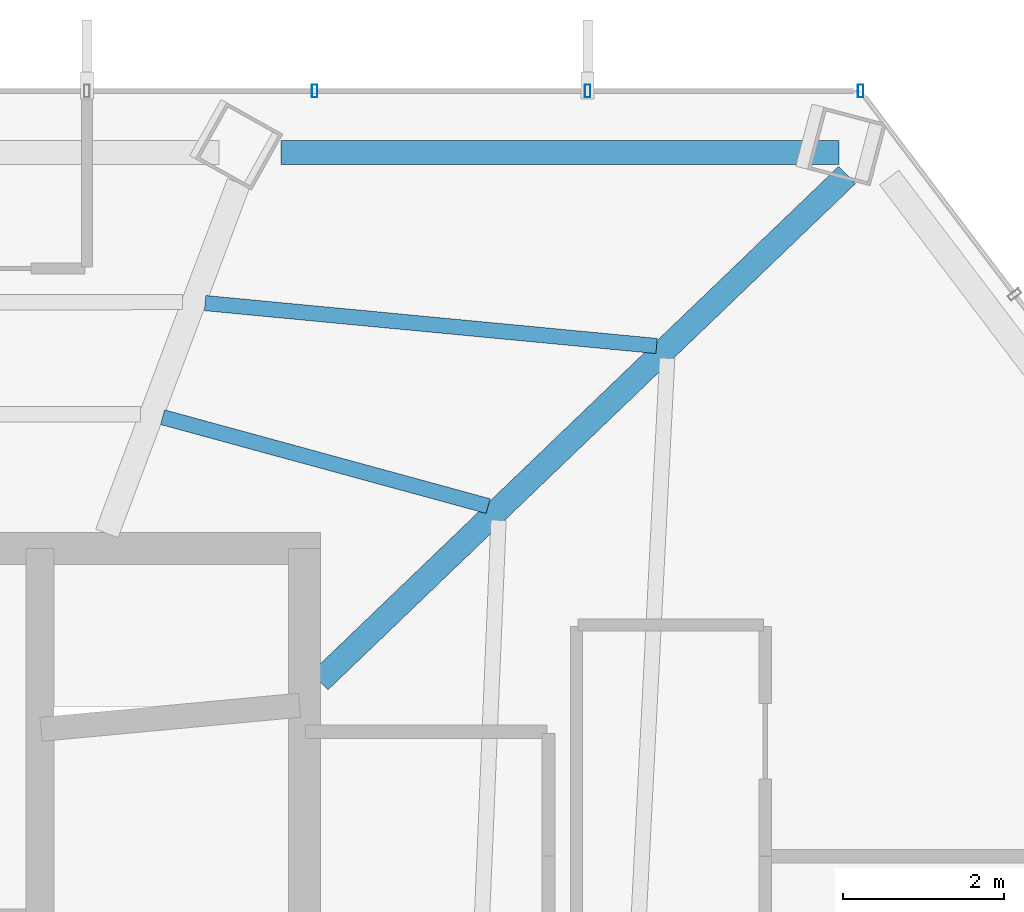
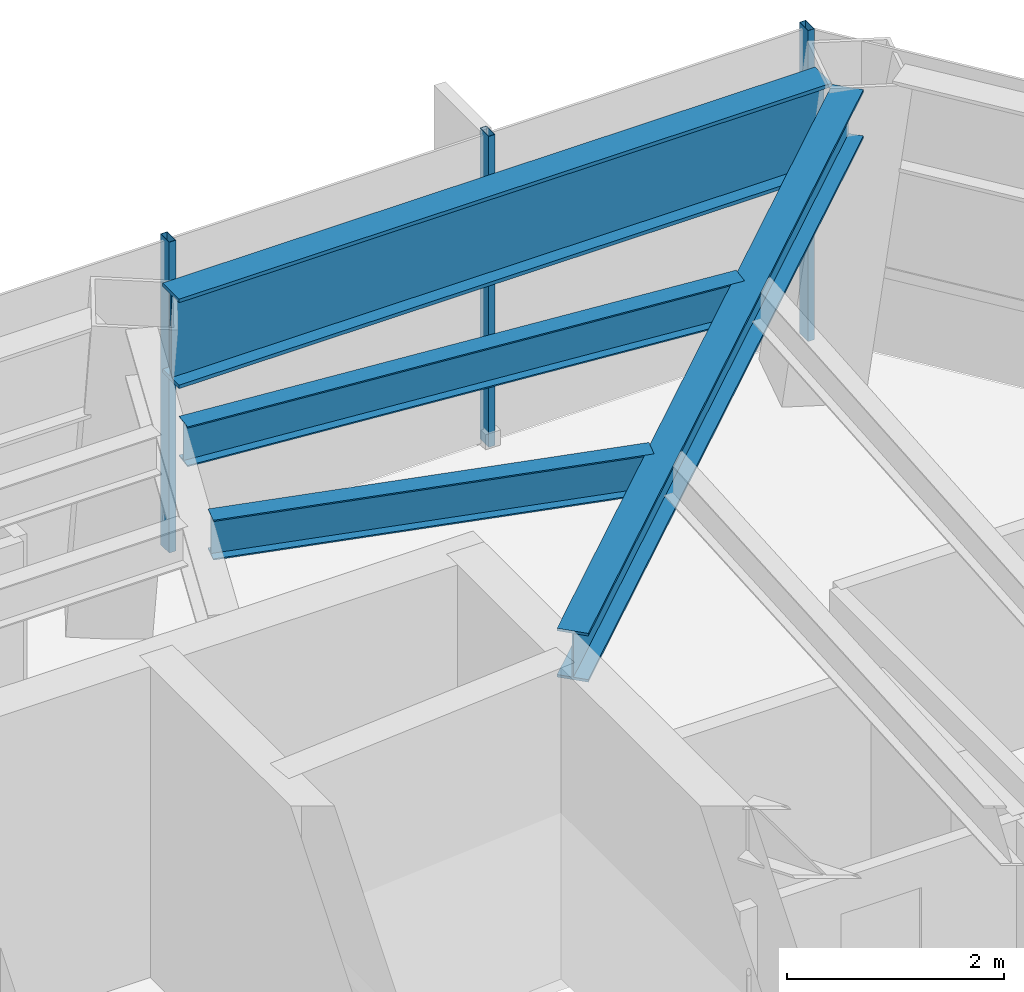
# One storey, part 22 of 29: 4 beams, 3 members, 1 element without a shape of its own.
"""IFC4 building model written with IfcOpenShell, lengths in metres."""

from ifc_helpers import new_model, si_unit, direction, frame, origin, origin_2d, place, context, subcontext, project, spatial, hollow_rectangle, i_section, extrude, material, layer, layer_set, material_profile, profile_set, type_object, element, aggregate, save


model = new_model("IFC4")

# Units and contexts
model_context = context("Model", 3, precision=1e-05, world=origin(), true_north=direction((0.0, 1.0)))
body_context = subcontext(model_context, "Body", "Model", "MODEL_VIEW")
ifc_project = project(units=[si_unit("LENGTHUNIT", "METRE"), si_unit("AREAUNIT", "SQUARE_METRE"), si_unit("VOLUMEUNIT", "CUBIC_METRE"), si_unit("PLANEANGLEUNIT", "RADIAN"), si_unit("MASSUNIT", "GRAM", prefix="KILO")], contexts=[model_context])

# Site, building, storey
site_placement = place(None, origin())
site = spatial("IfcSite", under=ifc_project, at=site_placement, CompositionType="ELEMENT")
building_placement = place(site_placement, origin())
building = spatial("IfcBuilding", under=site, at=building_placement, Name="Zarrinselat Tower", CompositionType="ELEMENT")
storey_placement = place(building_placement, frame((0.0, 0.0, 142.1201171875)))
storey = spatial("IfcBuildingStorey", under=building, at=storey_placement, Name="L34", CompositionType="ELEMENT", Elevation=142.1201171875)

# Beams
ifc_material_1 = material(Name="Steel S355J2", Category="steel")
ifc_material_profile_1 = material_profile(ifc_material_1, i_section(OverallWidth=0.300048828125, OverallDepth=0.550048828125, WebThickness=0.014892578125, FlangeThickness=0.029052734375, at=origin_2d()), Name="HEB 550")
ifc_profile_set_1 = profile_set([ifc_material_profile_1], Name="Steel S355J2")
beam_type_1 = type_object("IfcBeamType", Name="BM-HEB550", PredefinedType="BEAM", material=ifc_profile_set_1)
beam_1_placement = place(storey_placement, frame((48.449951171875, 41.800048828125, 3.224853515625), z_axis=(0.721502505311, 0.692411824588, 0.0), x_axis=(-0.692411824588, 0.721502505311, 0.0)))
element("IfcBeam", 1, at=beam_1_placement, inside=storey, type_object=beam_type_1, Name="L34 Radial Primary Girder RG01", PredefinedType="BEAM", context=body_context, shape_type="SweptSolid", body=[
    extrude(i_section(OverallWidth=0.300048828125, OverallDepth=0.550048828125, WebThickness=0.014892578125, FlangeThickness=0.029052734375, at=origin_2d()), origin(), (0.0, 0.0, 1.0), 9.105712890625),
])
ifc_material_2 = material(Name="Steel S460M", Category="steel")
ifc_material_profile_2 = material_profile(ifc_material_2, i_section(OverallWidth=0.302001953125, OverallDepth=1.008056640625, WebThickness=0.02099609375, FlangeThickness=0.0400390625, at=origin_2d()), Name="HEM 1000")
ifc_profile_set_2 = profile_set([ifc_material_profile_2], Name="Steel S460M")
beam_type_2 = type_object("IfcBeamType", Name="BM-HEM1000", PredefinedType="BEAM", material=ifc_profile_set_2)
beam_2_placement = place(storey_placement, frame((47.971435546875, 48.38330078125, 2.995849609375), z_axis=(1.0, 0.0, 0.0), x_axis=(0.0, 1.0, 0.0)))
element("IfcBeam", 2, at=beam_2_placement, inside=storey, type_object=beam_type_2, Name="L34 Perimeter Spandrel Girder SP01", PredefinedType="BEAM", context=body_context, shape_type="SweptSolid", body=[
    extrude(i_section(OverallWidth=0.302001953125, OverallDepth=1.008056640625, WebThickness=0.02099609375, FlangeThickness=0.0400390625, at=origin_2d()), origin(), (0.0, 0.0, 1.0), 6.9501953125),
])
ifc_material_3 = material(Name="Steel S355J2", Category="steel")
ifc_material_profile_3 = material_profile(ifc_material_3, i_section(OverallWidth=0.18994140625, OverallDepth=0.449951171875, WebThickness=0.009521484375, FlangeThickness=0.0146484375, at=origin_2d()), Name="IPE 450")
ifc_profile_set_3 = profile_set([ifc_material_profile_3], Name="Steel S355J2")
beam_type_3 = type_object("IfcBeamType", Name="BM-IPE450", PredefinedType="JOIST", material=ifc_profile_set_3)
beam_3_placement = place(storey_placement, frame((47.023193359375, 46.509033203125, 3.27490234375), z_axis=(0.995514295442, -0.09461124442, 0.0), x_axis=(0.09461124442, 0.995514295442, 0.0)))
element("IfcBeam", 3, at=beam_3_placement, inside=storey, type_object=beam_type_3, Name="L34 Composite Floor Joist 6-1", PredefinedType="JOIST", context=body_context, shape_type="SweptSolid", body=[
    extrude(i_section(OverallWidth=0.18994140625, OverallDepth=0.449951171875, WebThickness=0.009521484375, FlangeThickness=0.0146484375, at=origin_2d()), origin(), (0.0, 0.0, 1.0), 5.648681640625),
])
beam_4_placement = place(storey_placement, frame((46.493408203125, 45.087890625, 3.27490234375), z_axis=(0.964675309481, -0.263441734124, 0.0), x_axis=(0.263441734124, 0.964675309481, 0.0)))
element("IfcBeam", 4, at=beam_4_placement, inside=storey, type_object=beam_type_3, Name="L34 Composite Floor Joist 6-2", PredefinedType="JOIST", context=body_context, shape_type="SweptSolid", body=[
    extrude(i_section(OverallWidth=0.18994140625, OverallDepth=0.449951171875, WebThickness=0.009521484375, FlangeThickness=0.0146484375, at=origin_2d()), origin(), (0.0, 0.0, 1.0), 4.20361328125),
])

# Curtain wall, members
ifc_material_4 = material(Name="Extruded Aluminium Alloy EN AW-6063 T6", Category="aluminium")
ifc_layer = layer(ifc_material_4, 0.175048828125)
ifc_layer_set = layer_set([ifc_layer], Name="Extruded Aluminium Alloy EN AW-6063 T6")
curtain_wall_type = type_object("IfcCurtainWallType", Name="CWS-HTL", PredefinedType="NOTDEFINED", material=ifc_layer_set)
curtain_wall_placement = place(storey_placement, origin())
curtain_wall = element("IfcCurtainWall", 5, at=curtain_wall_placement, inside=storey, type_object=curtain_wall_type, Name="L34 Unitised Curtain Wall CW-L34-E01", PredefinedType="NOTDEFINED")
ifc_material_5 = material(Name="Extruded Aluminium Alloy EN AW-6063 T6", Category="aluminium")
ifc_material_profile_4 = material_profile(ifc_material_5, hollow_rectangle(XDim=0.070068359375, YDim=0.159912109375, WallThickness=0.00390625, at=origin_2d()), Name="RHS 160x70x4")
ifc_profile_set_4 = profile_set([ifc_material_profile_4], Name="Extruded Aluminium Alloy EN AW-6063 T6")
member_type = type_object("IfcMemberType", Name="MEM-CW-MUL2", PredefinedType="MULLION", material=ifc_profile_set_4)
member_1_placement = place(storey_placement, frame((55.18798828125, 49.14990234375, 0.0), z_axis=(0.0, 0.0, 1.0), x_axis=(-1.0, 0.0, 0.0)))
member_1 = element("IfcMember", 6, at=member_1_placement, type_object=member_type, Name="CW-L34-E01 Mullion 0", PredefinedType="MULLION", context=body_context, shape_type="SweptSolid", body=[
    extrude(hollow_rectangle(XDim=0.070068359375, YDim=0.159912109375, WallThickness=0.00390625, at=origin_2d()), origin(), (0.0, 0.0, 1.0), 3.5),
])
member_2_placement = place(storey_placement, frame((51.787353515625, 49.14990234375, 0.0), z_axis=(0.0, 0.0, 1.0), x_axis=(-1.0, 0.0, 0.0)))
member_2 = element("IfcMember", 7, at=member_2_placement, type_object=member_type, Name="CW-L34-E01 Mullion 1", PredefinedType="MULLION", context=body_context, shape_type="SweptSolid", body=[
    extrude(hollow_rectangle(XDim=0.070068359375, YDim=0.159912109375, WallThickness=0.00390625, at=origin_2d()), origin(), (0.0, 0.0, 1.0), 3.5),
])
member_3_placement = place(storey_placement, frame((48.386474609375, 49.14990234375, 0.0), z_axis=(0.0, 0.0, 1.0), x_axis=(-1.0, 0.0, 0.0)))
member_3 = element("IfcMember", 8, at=member_3_placement, type_object=member_type, Name="CW-L34-E01 Mullion 2", PredefinedType="MULLION", context=body_context, shape_type="SweptSolid", body=[
    extrude(hollow_rectangle(XDim=0.070068359375, YDim=0.159912109375, WallThickness=0.00390625, at=origin_2d()), origin(), (0.0, 0.0, 1.0), 3.5),
])
aggregate(curtain_wall, [member_1, member_2, member_3])

save(model, "model.ifc")
